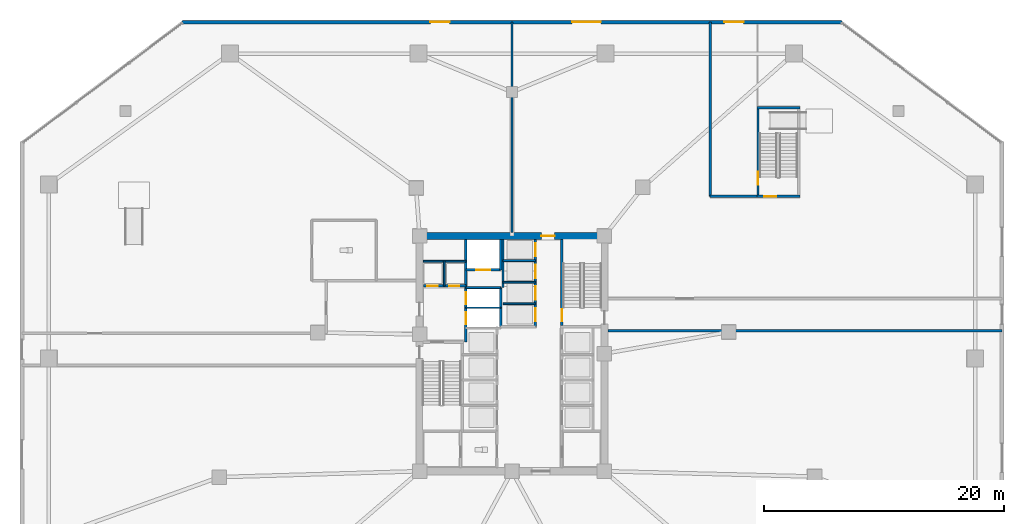
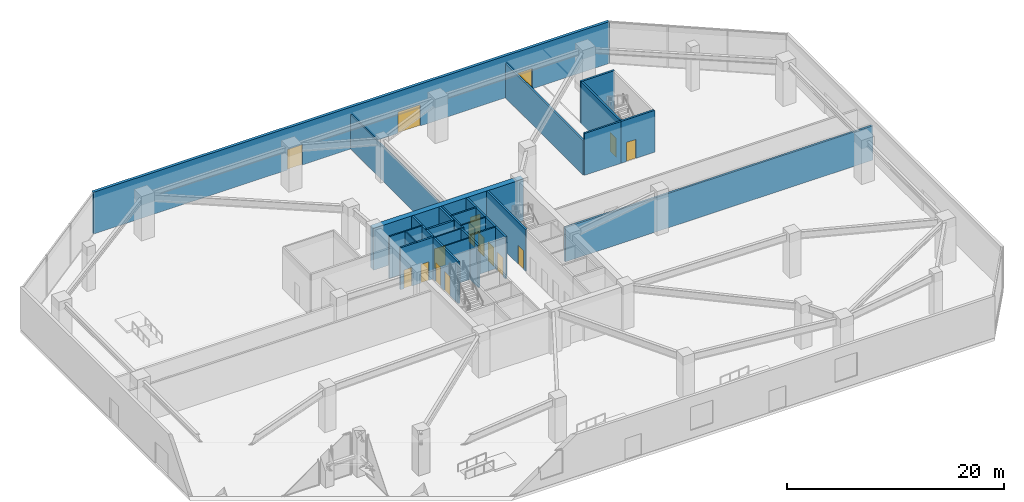
# One storey, part 11 of 22: 24 walls, 16 doors, 16 openings.
"""IFC4 building model written with IfcOpenShell, lengths in metres."""

import ifcopenshell
import ifcopenshell.guid

model = None  # the IFC model being written
_history = None  # IfcOwnerHistory: only IFC2X3 demands one
_inside = {}  # id of a spatial element -> (the spatial element, [elements in it])
_under = {}  # id of a project, library or spatial element -> (it, [spatial elements below it])
_declared = {}  # id of a project -> (the project, [libraries it declares])
_typed = {}  # id of a type object -> (the type object, [elements of that type])
_made_of = {}  # id of a material, layer set ... -> (it, [elements and type objects made of it])


def new_model(schema):
    """Start an empty IFC model of exactly this schema.

    Asked for "IFC4X3", IfcOpenShell would pick the latest addendum, in which some entities
    have other attributes; the version numbers below select the first issue.
    IFC2X3 requires an IfcOwnerHistory on every rooted entity: one is made here for all.
    """
    global model, _history
    if schema == "IFC4X3":
        model = ifcopenshell.file(schema_version=(4, 3, 0, 0))
    else:
        model = ifcopenshell.file(schema=schema)
    _inside.clear()
    _under.clear()
    _declared.clear()
    _typed.clear()
    _made_of.clear()
    _history = None
    if model.schema == "IFC2X3":
        org = make("IfcOrganization", Name="unknown")
        user = make(
            "IfcPersonAndOrganization",
            ThePerson=make("IfcPerson", FamilyName="unknown"),
            TheOrganization=org,
        )
        app = make(
            "IfcApplication",
            ApplicationDeveloper=org,
            Version="unknown",
            ApplicationFullName="unknown",
            ApplicationIdentifier="unknown",
        )
        _history = make(
            "IfcOwnerHistory",
            OwningUser=user,
            OwningApplication=app,
            ChangeAction="ADDED",
            CreationDate=0,
        )
    return model


def make(cls, **values):
    """One entity of the class cls with the attributes given. An attribute that is None is left unset."""
    return model.create_entity(
        cls, **{name: value for name, value in values.items() if value is not None}
    )


def rooted(cls, **values):
    """An entity with a GlobalId (a new one), such as an element, a storey or a relation."""
    return make(cls, GlobalId=ifcopenshell.guid.new(), OwnerHistory=_history, **values)


def si_unit(unit_type, name, prefix=None):
    """IfcSIUnit, for example si_unit("LENGTHUNIT", "METRE", prefix="MILLI")."""
    return make("IfcSIUnit", UnitType=unit_type, Prefix=prefix, Name=name)


def assignment(units):
    """IfcUnitAssignment: the units of a project."""
    return None if units is None else make("IfcUnitAssignment", Units=units)


def point(xyz):
    """IfcCartesianPoint."""
    return None if xyz is None else make("IfcCartesianPoint", Coordinates=xyz)


def direction(xyz):
    """IfcDirection."""
    return None if xyz is None else make("IfcDirection", DirectionRatios=xyz)


def frame(location, z_axis=None, x_axis=None):
    """IfcAxis2Placement3D, a coordinate frame: its origin and axes. An axis left out is left unset."""
    return make(
        "IfcAxis2Placement3D",
        Location=point(location),
        Axis=direction(z_axis),
        RefDirection=direction(x_axis),
    )


def frame_2d(location, x_axis=None):
    """IfcAxis2Placement2D, a coordinate frame in the plane: its origin and x axis."""
    return make(
        "IfcAxis2Placement2D", Location=point(location), RefDirection=direction(x_axis)
    )


def origin():
    """The frame at (0, 0, 0) with its axes left unset."""
    return frame((0.0, 0.0, 0.0))


def place(relative_to, where):
    """IfcLocalPlacement: puts the frame where relative to a parent placement (None: the world)."""
    return make(
        "IfcLocalPlacement", PlacementRelTo=relative_to, RelativePlacement=where
    )


def context(
    kind, dimensions, precision=None, world=None, true_north=None, identifier=None
):
    """IfcGeometricRepresentationContext, for example the 3D "Model" context."""
    return make(
        "IfcGeometricRepresentationContext",
        ContextIdentifier=identifier,
        ContextType=kind,
        CoordinateSpaceDimension=dimensions,
        Precision=precision,
        WorldCoordinateSystem=world,
        TrueNorth=true_north,
    )


def subcontext(parent, identifier, kind, view, scale=None):
    """IfcGeometricRepresentationSubContext, for example "Body" below "Model"."""
    return make(
        "IfcGeometricRepresentationSubContext",
        ContextIdentifier=identifier,
        ContextType=kind,
        ParentContext=parent,
        TargetScale=scale,
        TargetView=view,
    )


def project(units=None, contexts=None):
    """IfcProject with its units and contexts."""
    return rooted(
        "IfcProject",
        Name="project",
        RepresentationContexts=contexts,
        UnitsInContext=assignment(units),
    )


def spatial(cls, under=None, at=None, **own):
    """A site, building, storey or space (cls), placed at a placement, below another one or the project."""
    s = rooted(cls, ObjectPlacement=at, **own)
    if under is not None:
        _under.setdefault(under.id(), (under, []))[1].append(s)
    return s


def profile(cls, at=None, kind="AREA", **sizes):
    """A parametric profile (cls). Its sizes go by their IFC names, for example OverallWidth=200.0."""
    return make(cls, ProfileType=kind, Position=at, **sizes)


def rectangle(**sizes):
    """IfcRectangleProfileDef."""
    return profile("IfcRectangleProfileDef", **sizes)


def extrude(swept, where, along, depth):
    """IfcExtrudedAreaSolid: the profile swept, set in the frame where, extruded along a direction by depth."""
    return make(
        "IfcExtrudedAreaSolid",
        SweptArea=swept,
        Position=where,
        ExtrudedDirection=direction(along),
        Depth=depth,
    )


def shape(context_of_items, identifier, shape_type, items):
    """IfcShapeRepresentation: the items that make up one representation, for example the "Body"."""
    return make(
        "IfcShapeRepresentation",
        ContextOfItems=context_of_items,
        RepresentationIdentifier=identifier,
        RepresentationType=shape_type,
        Items=items,
    )


def material(Name=None, Category=None):
    """IfcMaterial."""
    return make("IfcMaterial", Name=Name, Category=Category)


def layer(
    of_material, thickness, ventilated=None, Name=None, Category=None, Priority=None
):
    """IfcMaterialLayer: one layer of a wall or slab, of a material (None: an air gap)."""
    return make(
        "IfcMaterialLayer",
        Material=of_material,
        LayerThickness=thickness,
        IsVentilated=ventilated,
        Name=Name,
        Category=Category,
        Priority=Priority,
    )


def layer_set(layers, Name=None):
    """IfcMaterialLayerSet."""
    return make("IfcMaterialLayerSet", MaterialLayers=layers, LayerSetName=Name)


def made_of(thing, what):
    """Note that an element or type object is made of a material, layer set ...; save() writes the relation."""
    if what is not None:
        _made_of.setdefault(what.id(), (what, []))[1].append(thing)
    return thing


def type_object(cls, material=None, **own):
    """A type object (cls), such as IfcWallType, which elements share."""
    return made_of(rooted(cls, **own), material)


def element(
    cls,
    number,
    at=None,
    inside=None,
    cuts=None,
    type_object=None,
    material=None,
    context=None,
    identifier="Body",
    shape_type=None,
    held_by="IfcProductDefinitionShape",
    body=None,
    shapes=None,
    **own,
):
    """One element of the class cls, such as IfcWall. Its Tag is "e" and its number.

    at: its placement. inside: the storey or other place that contains it. cuts: it is an
    opening in that element (IfcRelVoidsElement). A single representation is given by context,
    identifier, shape_type and body (its items); several are given by shapes. held_by: the class
    of the entity that holds the representations. save() writes the other relations.
    """
    e = rooted(cls, Tag="e%d" % number, ObjectPlacement=at, **own)
    if body is not None:
        shapes = [shape(context, identifier, shape_type, body)]
    if shapes is not None:
        e.Representation = make(held_by, Representations=shapes)
    if inside is not None:
        _inside.setdefault(inside.id(), (inside, []))[1].append(e)
    if cuts is not None:
        rooted(
            "IfcRelVoidsElement", RelatingBuildingElement=cuts, RelatedOpeningElement=e
        )
    if type_object is not None:
        _typed.setdefault(type_object.id(), (type_object, []))[1].append(e)
    return made_of(e, material)


def fill(opening, filler):
    """IfcRelFillsElement: the door or window that sits in an opening."""
    return rooted(
        "IfcRelFillsElement",
        RelatingOpeningElement=opening,
        RelatedBuildingElement=filler,
    )


def aggregate(whole, parts):
    """IfcRelAggregates: a whole, such as a stair, and the parts it consists of."""
    return rooted("IfcRelAggregates", RelatingObject=whole, RelatedObjects=parts)


def save(model, path):
    """Write the relations noted so far, then the file.

    IfcRelAggregates (storeys below a building ...), IfcRelContainedInSpatialStructure (elements
    in a storey), IfcRelDefinesByType, IfcRelAssociatesMaterial and IfcRelDeclares: one each for
    every whole, place, type object, material and project.
    """
    for whole, parts in _under.values():
        aggregate(whole, parts)
    for where, things in _inside.values():
        rooted(
            "IfcRelContainedInSpatialStructure",
            RelatedElements=things,
            RelatingStructure=where,
        )
    for kind, things in _typed.values():
        rooted("IfcRelDefinesByType", RelatedObjects=things, RelatingType=kind)
    for what, things in _made_of.values():
        rooted("IfcRelAssociatesMaterial", RelatedObjects=things, RelatingMaterial=what)
    for by, libraries in _declared.values():
        rooted("IfcRelDeclares", RelatingContext=by, RelatedDefinitions=libraries)
    model.write(path)


model = new_model("IFC4")

# Units and contexts
model_context = context("Model", 3, precision=1e-05, world=origin(), true_north=direction((0.0, 1.0)))
body_context = subcontext(model_context, "Body", "Model", "MODEL_VIEW")
ifc_project = project(units=[si_unit("LENGTHUNIT", "METRE"), si_unit("AREAUNIT", "SQUARE_METRE"), si_unit("VOLUMEUNIT", "CUBIC_METRE"), si_unit("PLANEANGLEUNIT", "RADIAN"), si_unit("MASSUNIT", "GRAM", prefix="KILO")], contexts=[model_context])

# Site, building, storey
site_placement = place(None, origin())
site = spatial("IfcSite", under=ifc_project, at=site_placement, CompositionType="ELEMENT")
building_placement = place(site_placement, origin())
building = spatial("IfcBuilding", under=site, at=building_placement, Name="Savorim Split Tower", CompositionType="ELEMENT")
storey_placement = place(building_placement, origin())
storey = spatial("IfcBuildingStorey", under=building, at=storey_placement, Name="L00", CompositionType="ELEMENT", Elevation=0.0)

# Wall, opening, door
ifc_material_1 = material(Name="Concrete C60/75", Category="concrete")
ifc_layer_1 = layer(ifc_material_1, 0.60009765625)
ifc_layer_set_1 = layer_set([ifc_layer_1], Name="WAL-COR-SH600")
wall_type_1 = type_object("IfcWallType", Name="WAL-COR-SH600", PredefinedType="SHEAR", material=ifc_layer_set_1)
wall_1_placement = place(storey_placement, frame((8.0, 10.199951171875, 0.0), z_axis=(0.0, 0.0, 1.0), x_axis=(-1.0, 0.0, 0.0)))
wall_1 = element("IfcWall", 1, at=wall_1_placement, inside=storey, type_object=wall_type_1, Name="L00 Offset Core North Shear Wall", PredefinedType="SHEAR", context=body_context, shape_type="SweptSolid", body=[
    extrude(rectangle(XDim=16.0, YDim=0.60009765625, at=frame_2d((8.0, 0.0))), origin(), (0.0, 0.0, 1.0), 4.719970703125),
])
opening_1_placement = place(wall_1_placement, frame((4.449951171875, 0.0, 0.0)))
opening_1 = element("IfcOpeningElement", 2, at=opening_1_placement, cuts=wall_1, Name="Opening DI-03", PredefinedType="OPENING", context=body_context, shape_type="SweptSolid", body=[
    extrude(rectangle(XDim=1.10009765625, YDim=2.14990234375, at=frame_2d((0.550048828125, 1.074951171875))), frame((0.0, 0.31005859375, 0.0), z_axis=(0.0, -1.0, 0.0), x_axis=(1.0, 0.0, 0.0)), (0.0, 0.0, 1.0), 0.6201171875),
])
ifc_material_2 = material(Name="Timber Fire Door Leaf", Category="wood")
door_type_1 = type_object("IfcDoorType", Name="DOR-FIR-1100", OperationType="NOTDEFINED", PredefinedType="DOOR", material=ifc_material_2)
door_1_placement = place(opening_1_placement, origin())
door_1 = element("IfcDoor", 3, at=door_1_placement, inside=storey, type_object=door_type_1, Name="DOR-L00-COR-NLOB - L00 North Corridor Lobby Fire Door", OperationType="SINGLE_SWING_LEFT", OverallHeight=2.14990234375, OverallWidth=1.10009765625, PredefinedType="DOOR", context=body_context, shape_type="SweptSolid", body=[
    extrude(rectangle(XDim=1.10009765625, YDim=2.14990234375, at=frame_2d((0.550048828125, 1.074951171875))), frame((0.0, 0.02490234375, 0.0), z_axis=(0.0, -1.0, 0.0), x_axis=(1.0, 0.0, 0.0)), (0.0, 0.0, 1.0), 0.050048828125),
])
fill(opening_1, door_1)

# Wall, openings, doors
ifc_material_3 = material(Name="Concrete C50/60", Category="concrete")
ifc_layer_2 = layer(ifc_material_3, 0.300048828125)
ifc_layer_set_2 = layer_set([ifc_layer_2], Name="WAL-EXT-POD300")
wall_type_2 = type_object("IfcWallType", Name="WAL-EXT-POD300", PredefinedType="SOLIDWALL", material=ifc_layer_set_2)
wall_2_placement = place(storey_placement, frame((-27.5, 28.02001953125, 0.0), z_axis=(0.0, 0.0, 1.0), x_axis=(1.0, 0.0, 0.0)))
wall_2 = element("IfcWall", 4, at=wall_2_placement, inside=storey, type_object=wall_type_2, Name="L00 Exterior Podium Wall N", PredefinedType="SOLIDWALL", context=body_context, shape_type="SweptSolid", body=[
    extrude(rectangle(XDim=55.0, YDim=0.300048828125, at=frame_2d((27.5, 0.0))), origin(), (0.0, 0.0, 1.0), 4.719970703125),
])
opening_2_placement = place(wall_2_placement, frame((45.199951171875, 0.0, 0.0)))
opening_2 = element("IfcOpeningElement", 5, at=opening_2_placement, cuts=wall_2, Name="Opening DE-02", PredefinedType="OPENING", context=body_context, shape_type="SweptSolid", body=[
    extrude(rectangle(XDim=1.60009765625, YDim=2.300048828125, at=frame_2d((0.800048828125, 1.14990234375))), frame((0.0, 0.159912109375, 0.0), z_axis=(0.0, -1.0, 0.0), x_axis=(1.0, 0.0, 0.0)), (0.0, 0.0, 1.0), 0.320068359375),
])
opening_3_placement = place(wall_2_placement, frame((32.5, 0.0, 0.0)))
opening_3 = element("IfcOpeningElement", 6, at=opening_3_placement, cuts=wall_2, Name="Opening GT-01", PredefinedType="OPENING", context=body_context, shape_type="SweptSolid", body=[
    extrude(rectangle(XDim=2.39990234375, YDim=2.39990234375, at=frame_2d((1.199951171875, 1.199951171875))), frame((0.0, 0.159912109375, 0.0), z_axis=(0.0, -1.0, 0.0), x_axis=(1.0, 0.0, 0.0)), (0.0, 0.0, 1.0), 0.320068359375),
])
opening_4_placement = place(wall_2_placement, frame((20.699951171875, 0.0, 0.0)))
opening_4 = element("IfcOpeningElement", 7, at=opening_4_placement, cuts=wall_2, Name="Opening DE-02", PredefinedType="OPENING", context=body_context, shape_type="SweptSolid", body=[
    extrude(rectangle(XDim=1.60009765625, YDim=2.300048828125, at=frame_2d((0.800048828125, 1.14990234375))), frame((0.0, 0.159912109375, 0.0), z_axis=(0.0, -1.0, 0.0), x_axis=(1.0, 0.0, 0.0)), (0.0, 0.0, 1.0), 0.320068359375),
])
ifc_material_4 = material(Name="Charcoal Anodised Aluminium", Category="aluminium")
door_type_2 = type_object("IfcDoorType", Name="DOR-EXT-1600", OperationType="NOTDEFINED", PredefinedType="DOOR", material=ifc_material_4)
door_2_placement = place(opening_2_placement, origin())
door_2 = element("IfcDoor", 8, at=door_2_placement, inside=storey, type_object=door_type_2, Name="DOR-L00-ST3EX - L00 Exit Passage North-East Final Exit Door", OperationType="SINGLE_SWING_LEFT", OverallHeight=2.300048828125, OverallWidth=1.60009765625, PredefinedType="DOOR", context=body_context, shape_type="SweptSolid", body=[
    extrude(rectangle(XDim=1.60009765625, YDim=2.300048828125, at=frame_2d((0.800048828125, 1.14990234375))), frame((0.0, 0.02490234375, 0.0), z_axis=(0.0, -1.0, 0.0), x_axis=(1.0, 0.0, 0.0)), (0.0, 0.0, 1.0), 0.050048828125),
])
fill(opening_2, door_2)
door_3_placement = place(opening_4_placement, origin())
door_3 = element("IfcDoor", 9, at=door_3_placement, inside=storey, type_object=door_type_2, Name="DOR-L00-ST2EX1 - L00 North Reception Exit Door", OperationType="SINGLE_SWING_RIGHT", OverallHeight=2.300048828125, OverallWidth=1.60009765625, PredefinedType="DOOR", context=body_context, shape_type="SweptSolid", body=[
    extrude(rectangle(XDim=1.60009765625, YDim=2.300048828125, at=frame_2d((0.800048828125, 1.14990234375))), frame((0.0, 0.02490234375, 0.0), z_axis=(0.0, -1.0, 0.0), x_axis=(1.0, 0.0, 0.0)), (0.0, 0.0, 1.0), 0.050048828125),
])
fill(opening_4, door_3)
door_type_3 = type_object("IfcDoorType", Name="DOR-GAT-2400", OperationType="NOTDEFINED", PredefinedType="GATE", material=ifc_material_4)
door_4_placement = place(opening_3_placement, origin())
door_4 = element("IfcDoor", 10, at=door_4_placement, inside=storey, type_object=door_type_3, Name="DOR-L00-BGAT2 - L00 North Service Bay Gate 2", OperationType="DOUBLE_DOOR_SINGLE_SWING", OverallHeight=2.39990234375, OverallWidth=2.39990234375, PredefinedType="GATE", context=body_context, shape_type="SweptSolid", body=[
    extrude(rectangle(XDim=2.39990234375, YDim=2.39990234375, at=frame_2d((1.199951171875, 1.199951171875))), frame((0.0, 0.02490234375, 0.0), z_axis=(0.0, -1.0, 0.0), x_axis=(1.0, 0.0, 0.0)), (0.0, 0.0, 1.0), 0.050048828125),
])
fill(opening_3, door_4)

ifc_layer_3 = layer(ifc_material_3, 0.199951171875)
ifc_layer_set_3 = layer_set([ifc_layer_3], Name="WAL-INT-RC200")
wall_type_3 = type_object("IfcWallType", Name="WAL-INT-RC200", PredefinedType="SOLIDWALL", material=ifc_layer_set_3)
wall_3_placement = place(storey_placement, frame((-3.85009765625, 1.35009765625, 0.0), z_axis=(0.0, 0.0, 1.0), x_axis=(0.0, 1.0, 0.0)))
wall_3 = element("IfcWall", 11, at=wall_3_placement, inside=storey, type_object=wall_type_3, Name="L00 Partition W-L00-CR03", PredefinedType="SOLIDWALL", context=body_context, shape_type="SweptSolid", body=[
    extrude(rectangle(XDim=8.544921875, YDim=0.199951171875, at=frame_2d((4.2724609375, 0.0))), origin(), (0.0, 0.0, 1.0), 4.719970703125),
])
opening_5_placement = place(wall_3_placement, frame((1.5, 0.0, 0.0)))
opening_5 = element("IfcOpeningElement", 12, at=opening_5_placement, cuts=wall_3, Name="Opening LD-FFL", PredefinedType="OPENING", context=body_context, shape_type="SweptSolid", body=[
    extrude(rectangle(XDim=1.0, YDim=2.14990234375, at=frame_2d((0.5, 1.074951171875))), frame((0.0, 0.10986328125, 0.0), z_axis=(0.0, -1.0, 0.0), x_axis=(1.0, 0.0, 0.0)), (0.0, 0.0, 1.0), 0.219970703125),
])
opening_6_placement = place(wall_3_placement, frame((3.179931640625, 0.0, 0.0)))
opening_6 = element("IfcOpeningElement", 13, at=opening_6_placement, cuts=wall_3, Name="Opening LD-FFL", PredefinedType="OPENING", context=body_context, shape_type="SweptSolid", body=[
    extrude(rectangle(XDim=1.0, YDim=2.14990234375, at=frame_2d((0.5, 1.074951171875))), frame((0.0, 0.10986328125, 0.0), z_axis=(0.0, -1.0, 0.0), x_axis=(1.0, 0.0, 0.0)), (0.0, 0.0, 1.0), 0.219970703125),
])
door_type_4 = type_object("IfcDoorType", Name="DOR-SLD-LD1000", OperationType="NOTDEFINED", PredefinedType="DOOR", material=ifc_material_4)
door_5_placement = place(opening_5_placement, origin())
door_5 = element("IfcDoor", 14, at=door_5_placement, inside=storey, type_object=door_type_4, Name="DR-L00-LD-FFL1 - L00 Firefighting Lift FFL-1 Sliding Landing Door", OperationType="DOUBLE_DOOR_SLIDING", OverallHeight=2.14990234375, OverallWidth=1.0, PredefinedType="DOOR", context=body_context, shape_type="SweptSolid", body=[
    extrude(rectangle(XDim=1.0, YDim=2.14990234375, at=frame_2d((0.5, 1.074951171875))), frame((0.0, 0.02490234375, 0.0), z_axis=(0.0, -1.0, 0.0), x_axis=(1.0, 0.0, 0.0)), (0.0, 0.0, 1.0), 0.050048828125),
])
fill(opening_5, door_5)
door_6_placement = place(opening_6_placement, origin())
door_6 = element("IfcDoor", 15, at=door_6_placement, inside=storey, type_object=door_type_4, Name="DR-L00-LD-FFL2 - L00 Firefighting Lift FFL-2 Sliding Landing Door", OperationType="DOUBLE_DOOR_SLIDING", OverallHeight=2.14990234375, OverallWidth=1.0, PredefinedType="DOOR", context=body_context, shape_type="SweptSolid", body=[
    extrude(rectangle(XDim=1.0, YDim=2.14990234375, at=frame_2d((0.5, 1.074951171875))), frame((0.0, 0.02490234375, 0.0), z_axis=(0.0, -1.0, 0.0), x_axis=(1.0, 0.0, 0.0)), (0.0, 0.0, 1.0), 0.050048828125),
])
fill(opening_6, door_6)

wall_4_placement = place(storey_placement, frame((-7.39501953125, 6.050048828125, 0.0), z_axis=(0.0, 0.0, 1.0), x_axis=(1.0, 0.0, 0.0)))
wall_4 = element("IfcWall", 16, at=wall_4_placement, inside=storey, type_object=wall_type_3, Name="L00 Partition W-L00-CR04", PredefinedType="SOLIDWALL", context=body_context, shape_type="SweptSolid", body=[
    extrude(rectangle(XDim=3.544921875, YDim=0.199951171875, at=frame_2d((1.7724609375, 0.0))), origin(), (0.0, 0.0, 1.0), 4.719970703125),
])
opening_7_placement = place(wall_4_placement, frame((0.344970703125, 0.0, 0.0)))
opening_7 = element("IfcOpeningElement", 17, at=opening_7_placement, cuts=wall_4, Name="Opening DI-12", PredefinedType="OPENING", context=body_context, shape_type="SweptSolid", body=[
    extrude(rectangle(XDim=0.85009765625, YDim=2.10009765625, at=frame_2d((0.425048828125, 1.050048828125))), frame((0.0, 0.10986328125, 0.0), z_axis=(0.0, -1.0, 0.0), x_axis=(1.0, 0.0, 0.0)), (0.0, 0.0, 1.0), 0.219970703125),
])
opening_8_placement = place(wall_4_placement, frame((2.14501953125, 0.0, 0.0)))
opening_8 = element("IfcOpeningElement", 18, at=opening_8_placement, cuts=wall_4, Name="Opening DI-12", PredefinedType="OPENING", context=body_context, shape_type="SweptSolid", body=[
    extrude(rectangle(XDim=0.85009765625, YDim=2.10009765625, at=frame_2d((0.425048828125, 1.050048828125))), frame((0.0, 0.10986328125, 0.0), z_axis=(0.0, -1.0, 0.0), x_axis=(1.0, 0.0, 0.0)), (0.0, 0.0, 1.0), 0.219970703125),
])
ifc_material_5 = material(Name="Galvanised Painted Steel Balustrade", Category="steel")
door_type_5 = type_object("IfcDoorType", Name="DOR-RIS-850", OperationType="NOTDEFINED", PredefinedType="DOOR", material=ifc_material_5)
door_7_placement = place(opening_7_placement, origin())
door_7 = element("IfcDoor", 19, at=door_7_placement, inside=storey, type_object=door_type_5, Name="DR-L00-ELR - L00 Electrical Riser Access Door", OperationType="SINGLE_SWING_RIGHT", OverallHeight=2.10009765625, OverallWidth=0.85009765625, PredefinedType="DOOR", context=body_context, shape_type="SweptSolid", body=[
    extrude(rectangle(XDim=0.85009765625, YDim=2.10009765625, at=frame_2d((0.425048828125, 1.050048828125))), frame((0.0, 0.02490234375, 0.0), z_axis=(0.0, -1.0, 0.0), x_axis=(1.0, 0.0, 0.0)), (0.0, 0.0, 1.0), 0.050048828125),
])
fill(opening_7, door_7)
door_8_placement = place(opening_8_placement, origin())
door_8 = element("IfcDoor", 20, at=door_8_placement, inside=storey, type_object=door_type_5, Name="DR-L00-TLR - L00 Telecom Riser Access Door", OperationType="SINGLE_SWING_LEFT", OverallHeight=2.10009765625, OverallWidth=0.85009765625, PredefinedType="DOOR", context=body_context, shape_type="SweptSolid", body=[
    extrude(rectangle(XDim=0.85009765625, YDim=2.10009765625, at=frame_2d((0.425048828125, 1.050048828125))), frame((0.0, 0.02490234375, 0.0), z_axis=(0.0, -1.0, 0.0), x_axis=(1.0, 0.0, 0.0)), (0.0, 0.0, 1.0), 0.050048828125),
])
fill(opening_8, door_8)

# Wall, opening, door
wall_5_placement = place(storey_placement, frame((4.14990234375, 2.75, 0.0), z_axis=(0.0, 0.0, 1.0), x_axis=(0.0, 1.0, 0.0)))
wall_5 = element("IfcWall", 21, at=wall_5_placement, inside=storey, type_object=wall_type_3, Name="L00 Structural Shaft Wall W-L00-CR07", PredefinedType="SOLIDWALL", context=body_context, shape_type="SweptSolid", body=[
    extrude(rectangle(XDim=7.14990234375, YDim=0.199951171875, at=frame_2d((3.574951171875, 0.0))), origin(), (0.0, 0.0, 1.0), 4.719970703125),
])
opening_9_placement = place(wall_5_placement, frame((0.35009765625, 0.0, 0.0)))
opening_9 = element("IfcOpeningElement", 22, at=opening_9_placement, cuts=wall_5, Name="Opening DI-04", PredefinedType="OPENING", context=body_context, shape_type="SweptSolid", body=[
    extrude(rectangle(XDim=1.0, YDim=2.14990234375, at=frame_2d((0.5, 1.074951171875))), frame((0.0, 0.10986328125, 0.0), z_axis=(0.0, -1.0, 0.0), x_axis=(1.0, 0.0, 0.0)), (0.0, 0.0, 1.0), 0.219970703125),
])
door_type_6 = type_object("IfcDoorType", Name="DOR-FIR-1000", OperationType="NOTDEFINED", PredefinedType="DOOR", material=ifc_material_2)
door_9_placement = place(opening_9_placement, origin())
door_9 = element("IfcDoor", 23, at=door_9_placement, inside=storey, type_object=door_type_6, Name="DR-L00-ST2 - L00 Stair ST-2 Enclosure Door", OperationType="SINGLE_SWING_RIGHT", OverallHeight=2.14990234375, OverallWidth=1.0, PredefinedType="DOOR", context=body_context, shape_type="SweptSolid", body=[
    extrude(rectangle(XDim=1.0, YDim=2.14990234375, at=frame_2d((0.5, 1.074951171875))), frame((0.0, 0.02490234375, 0.0), z_axis=(0.0, -1.0, 0.0), x_axis=(1.0, 0.0, 0.0)), (0.0, 0.0, 1.0), 0.050048828125),
])
fill(opening_9, door_9)

# Wall
wall_6_placement = place(storey_placement, frame((-0.949951171875, 2.64990234375, 0.0), z_axis=(0.0, 0.0, 1.0), x_axis=(0.0, 1.0, 0.0)))
element("IfcWall", 24, at=wall_6_placement, inside=storey, type_object=wall_type_3, Name="L00 Partition W-L00-FFLW", PredefinedType="SOLIDWALL", context=body_context, shape_type="SweptSolid", body=[
    extrude(rectangle(XDim=3.27001953125, YDim=0.199951171875, at=frame_2d((1.635009765625, 0.0))), origin(), (0.0, 0.0, 1.0), 4.719970703125),
])

# Wall, opening, door
wall_7_placement = place(storey_placement, frame((-3.85009765625, 7.3798828125, 0.0), z_axis=(0.0, 0.0, 1.0), x_axis=(1.0, 0.0, 0.0)))
wall_7 = element("IfcWall", 25, at=wall_7_placement, inside=storey, type_object=wall_type_3, Name="L00 Partition W-L00-SVLS", PredefinedType="SOLIDWALL", context=body_context, shape_type="SweptSolid", body=[
    extrude(rectangle(XDim=2.900146484375, YDim=0.199951171875, at=frame_2d((1.4501953125, 0.0))), origin(), (0.0, 0.0, 1.0), 4.719970703125),
])
opening_10_placement = place(wall_7_placement, frame((0.85009765625, 0.0, 0.0)))
opening_10 = element("IfcOpeningElement", 26, at=opening_10_placement, cuts=wall_7, Name="Opening LD-SV", PredefinedType="OPENING", context=body_context, shape_type="SweptSolid", body=[
    extrude(rectangle(XDim=1.199951171875, YDim=2.199951171875, at=frame_2d((0.60009765625, 1.10009765625))), frame((0.0, 0.10986328125, 0.0), z_axis=(0.0, -1.0, 0.0), x_axis=(1.0, 0.0, 0.0)), (0.0, 0.0, 1.0), 0.219970703125),
])
door_type_7 = type_object("IfcDoorType", Name="DOR-SLD-SV1200", OperationType="NOTDEFINED", PredefinedType="DOOR", material=ifc_material_4)
door_10_placement = place(opening_10_placement, origin())
door_10 = element("IfcDoor", 27, at=door_10_placement, inside=storey, type_object=door_type_7, Name="DR-L00-LD-SVL1 - L00 Service Lift SVL-1 Sliding Landing Door", OperationType="DOUBLE_DOOR_SLIDING", OverallHeight=2.199951171875, OverallWidth=1.199951171875, PredefinedType="DOOR", context=body_context, shape_type="SweptSolid", body=[
    extrude(rectangle(XDim=1.199951171875, YDim=2.199951171875, at=frame_2d((0.60009765625, 1.10009765625))), frame((0.0, 0.02490234375, 0.0), z_axis=(0.0, -1.0, 0.0), x_axis=(1.0, 0.0, 0.0)), (0.0, 0.0, 1.0), 0.050048828125),
])
fill(opening_10, door_10)

# Wall
wall_8_placement = place(storey_placement, frame((-0.949951171875, 7.3798828125, 0.0), z_axis=(0.0, 0.0, 1.0), x_axis=(0.0, 1.0, 0.0)))
element("IfcWall", 28, at=wall_8_placement, inside=storey, type_object=wall_type_3, Name="L00 Partition W-L00-SVLE", PredefinedType="SOLIDWALL", context=body_context, shape_type="SweptSolid", body=[
    extrude(rectangle(XDim=2.51513671875, YDim=0.199951171875, at=frame_2d((1.257568359375, 0.0))), origin(), (0.0, 0.0, 1.0), 4.719970703125),
])

# Wall, openings, doors
wall_9_placement = place(storey_placement, frame((1.949951171875, 2.64990234375, 0.0), z_axis=(0.0, 0.0, 1.0), x_axis=(0.0, 1.0, 0.0)))
wall_9 = element("IfcWall", 29, at=wall_9_placement, inside=storey, type_object=wall_type_3, Name="L00 Partition W-L00-B3FRONT", PredefinedType="SOLIDWALL", context=body_context, shape_type="SweptSolid", body=[
    extrude(rectangle(XDim=7.2451171875, YDim=0.199951171875, at=frame_2d((3.62255859375, 0.0))), origin(), (0.0, 0.0, 1.0), 4.719970703125),
])
opening_11_placement = place(wall_9_placement, frame((0.449951171875, 0.0, 0.0)))
opening_11 = element("IfcOpeningElement", 30, at=opening_11_placement, cuts=wall_9, Name="Opening LD-03", PredefinedType="OPENING", context=body_context, shape_type="SweptSolid", body=[
    extrude(rectangle(XDim=1.10009765625, YDim=2.14990234375, at=frame_2d((0.550048828125, 1.074951171875))), frame((0.0, 0.10986328125, 0.0), z_axis=(0.0, -1.0, 0.0), x_axis=(1.0, 0.0, 0.0)), (0.0, 0.0, 1.0), 0.219970703125),
])
opening_12_placement = place(wall_9_placement, frame((2.25, 0.0, 0.0)))
opening_12 = element("IfcOpeningElement", 31, at=opening_12_placement, cuts=wall_9, Name="Opening LD-03", PredefinedType="OPENING", context=body_context, shape_type="SweptSolid", body=[
    extrude(rectangle(XDim=1.10009765625, YDim=2.14990234375, at=frame_2d((0.550048828125, 1.074951171875))), frame((0.0, 0.10986328125, 0.0), z_axis=(0.0, -1.0, 0.0), x_axis=(1.0, 0.0, 0.0)), (0.0, 0.0, 1.0), 0.219970703125),
])
opening_13_placement = place(wall_9_placement, frame((4.050048828125, 0.0, 0.0)))
opening_13 = element("IfcOpeningElement", 32, at=opening_13_placement, cuts=wall_9, Name="Opening LD-03", PredefinedType="OPENING", context=body_context, shape_type="SweptSolid", body=[
    extrude(rectangle(XDim=1.10009765625, YDim=2.14990234375, at=frame_2d((0.550048828125, 1.074951171875))), frame((0.0, 0.10986328125, 0.0), z_axis=(0.0, -1.0, 0.0), x_axis=(1.0, 0.0, 0.0)), (0.0, 0.0, 1.0), 0.219970703125),
])
opening_14_placement = place(wall_9_placement, frame((5.85009765625, 0.0, 0.0)))
opening_14 = element("IfcOpeningElement", 33, at=opening_14_placement, cuts=wall_9, Name="Opening LD-03", PredefinedType="OPENING", context=body_context, shape_type="SweptSolid", body=[
    extrude(rectangle(XDim=1.10009765625, YDim=2.14990234375, at=frame_2d((0.550048828125, 1.074951171875))), frame((0.0, 0.10986328125, 0.0), z_axis=(0.0, -1.0, 0.0), x_axis=(1.0, 0.0, 0.0)), (0.0, 0.0, 1.0), 0.219970703125),
])
door_type_8 = type_object("IfcDoorType", Name="DOR-SLD-LDH1100", OperationType="NOTDEFINED", PredefinedType="DOOR", material=ifc_material_4)
door_11_placement = place(opening_11_placement, origin())
door_11 = element("IfcDoor", 34, at=door_11_placement, inside=storey, type_object=door_type_8, Name="DR-L00-LD-PLH1 - L00 Lift PL-H1 Sliding Landing Door", OperationType="DOUBLE_DOOR_SLIDING", OverallHeight=2.14990234375, OverallWidth=1.10009765625, PredefinedType="DOOR", context=body_context, shape_type="SweptSolid", body=[
    extrude(rectangle(XDim=1.10009765625, YDim=2.14990234375, at=frame_2d((0.550048828125, 1.074951171875))), frame((0.0, 0.02490234375, 0.0), z_axis=(0.0, -1.0, 0.0), x_axis=(1.0, 0.0, 0.0)), (0.0, 0.0, 1.0), 0.050048828125),
])
fill(opening_11, door_11)
door_12_placement = place(opening_12_placement, origin())
door_12 = element("IfcDoor", 35, at=door_12_placement, inside=storey, type_object=door_type_8, Name="DR-L00-LD-PLH2 - L00 Lift PL-H2 Sliding Landing Door", OperationType="DOUBLE_DOOR_SLIDING", OverallHeight=2.14990234375, OverallWidth=1.10009765625, PredefinedType="DOOR", context=body_context, shape_type="SweptSolid", body=[
    extrude(rectangle(XDim=1.10009765625, YDim=2.14990234375, at=frame_2d((0.550048828125, 1.074951171875))), frame((0.0, 0.02490234375, 0.0), z_axis=(0.0, -1.0, 0.0), x_axis=(1.0, 0.0, 0.0)), (0.0, 0.0, 1.0), 0.050048828125),
])
fill(opening_12, door_12)
door_13_placement = place(opening_13_placement, origin())
door_13 = element("IfcDoor", 36, at=door_13_placement, inside=storey, type_object=door_type_8, Name="DR-L00-LD-PLH3 - L00 Lift PL-H3 Sliding Landing Door", OperationType="DOUBLE_DOOR_SLIDING", OverallHeight=2.14990234375, OverallWidth=1.10009765625, PredefinedType="DOOR", context=body_context, shape_type="SweptSolid", body=[
    extrude(rectangle(XDim=1.10009765625, YDim=2.14990234375, at=frame_2d((0.550048828125, 1.074951171875))), frame((0.0, 0.02490234375, 0.0), z_axis=(0.0, -1.0, 0.0), x_axis=(1.0, 0.0, 0.0)), (0.0, 0.0, 1.0), 0.050048828125),
])
fill(opening_13, door_13)
door_14_placement = place(opening_14_placement, origin())
door_14 = element("IfcDoor", 37, at=door_14_placement, inside=storey, type_object=door_type_8, Name="DR-L00-LD-PLH4 - L00 Lift PL-H4 Sliding Landing Door", OperationType="DOUBLE_DOOR_SLIDING", OverallHeight=2.14990234375, OverallWidth=1.10009765625, PredefinedType="DOOR", context=body_context, shape_type="SweptSolid", body=[
    extrude(rectangle(XDim=1.10009765625, YDim=2.14990234375, at=frame_2d((0.550048828125, 1.074951171875))), frame((0.0, 0.02490234375, 0.0), z_axis=(0.0, -1.0, 0.0), x_axis=(1.0, 0.0, 0.0)), (0.0, 0.0, 1.0), 0.050048828125),
])
fill(opening_14, door_14)

# Wall, opening, door
wall_10_placement = place(storey_placement, frame((20.39990234375, 13.5, 0.0), z_axis=(0.0, 0.0, 1.0), x_axis=(1.0, 0.0, 0.0)))
wall_10 = element("IfcWall", 38, at=wall_10_placement, inside=storey, type_object=wall_type_3, Name="L00 Structural Shaft Wall W-L00-ST3S", PredefinedType="SOLIDWALL", context=body_context, shape_type="SweptSolid", body=[
    extrude(rectangle(XDim=3.60009765625, YDim=0.199951171875, at=frame_2d((1.800048828125, 0.0))), origin(), (0.0, 0.0, 1.0), 4.719970703125),
])
opening_15_placement = place(wall_10_placement, frame((0.60009765625, 0.0, 0.0)))
opening_15 = element("IfcOpeningElement", 39, at=opening_15_placement, cuts=wall_10, Name="Opening DI-04", PredefinedType="OPENING", context=body_context, shape_type="SweptSolid", body=[
    extrude(rectangle(XDim=1.0, YDim=2.14990234375, at=frame_2d((0.5, 1.074951171875))), frame((0.0, 0.10986328125, 0.0), z_axis=(0.0, -1.0, 0.0), x_axis=(1.0, 0.0, 0.0)), (0.0, 0.0, 1.0), 0.219970703125),
])
door_15_placement = place(opening_15_placement, origin())
door_15 = element("IfcDoor", 40, at=door_15_placement, inside=storey, type_object=door_type_6, Name="DR-L00-ST3 - L00 Stair ST-3 Enclosure Door", OperationType="SINGLE_SWING_RIGHT", OverallHeight=2.14990234375, OverallWidth=1.0, PredefinedType="DOOR", context=body_context, shape_type="SweptSolid", body=[
    extrude(rectangle(XDim=1.0, YDim=2.14990234375, at=frame_2d((0.5, 1.074951171875))), frame((0.0, 0.02490234375, 0.0), z_axis=(0.0, -1.0, 0.0), x_axis=(1.0, 0.0, 0.0)), (0.0, 0.0, 1.0), 0.050048828125),
])
fill(opening_15, door_15)

# Wall
wall_11_placement = place(storey_placement, frame((20.39990234375, 20.89990234375, 0.0), z_axis=(0.0, 0.0, 1.0), x_axis=(1.0, 0.0, 0.0)))
element("IfcWall", 41, at=wall_11_placement, inside=storey, type_object=wall_type_3, Name="L00 Structural Shaft Wall W-L00-ST3N", PredefinedType="SOLIDWALL", context=body_context, shape_type="SweptSolid", body=[
    extrude(rectangle(XDim=3.60009765625, YDim=0.199951171875, at=frame_2d((1.800048828125, 0.0))), origin(), (0.0, 0.0, 1.0), 4.719970703125),
])

# Wall, opening, door
wall_12_placement = place(storey_placement, frame((20.5, 13.60009765625, 0.0), z_axis=(0.0, 0.0, 1.0), x_axis=(0.0, 1.0, 0.0)))
wall_12 = element("IfcWall", 42, at=wall_12_placement, inside=storey, type_object=wall_type_3, Name="L00 Structural Shaft Wall W-L00-ST3W", PredefinedType="SOLIDWALL", context=body_context, shape_type="SweptSolid", body=[
    extrude(rectangle(XDim=7.199951171875, YDim=0.199951171875, at=frame_2d((3.60009765625, 0.0))), origin(), (0.0, 0.0, 1.0), 4.719970703125),
])
opening_16_placement = place(wall_12_placement, frame((0.85009765625, 0.0, 0.0)))
opening_16 = element("IfcOpeningElement", 43, at=opening_16_placement, cuts=wall_12, Name="Opening DI-03", PredefinedType="OPENING", context=body_context, shape_type="SweptSolid", body=[
    extrude(rectangle(XDim=1.10009765625, YDim=2.14990234375, at=frame_2d((0.550048828125, 1.074951171875))), frame((0.0, 0.10986328125, 0.0), z_axis=(0.0, -1.0, 0.0), x_axis=(1.0, 0.0, 0.0)), (0.0, 0.0, 1.0), 0.219970703125),
])
door_16_placement = place(opening_16_placement, origin())
door_16 = element("IfcDoor", 44, at=door_16_placement, inside=storey, type_object=door_type_1, Name="DR-L00-ST3-DISCH - L00 Stair ST-3 Exit Passage Discharge Door", OperationType="SINGLE_SWING_LEFT", OverallHeight=2.14990234375, OverallWidth=1.10009765625, PredefinedType="DOOR", context=body_context, shape_type="SweptSolid", body=[
    extrude(rectangle(XDim=1.10009765625, YDim=2.14990234375, at=frame_2d((0.550048828125, 1.074951171875))), frame((0.0, 0.02490234375, 0.0), z_axis=(0.0, -1.0, 0.0), x_axis=(1.0, 0.0, 0.0)), (0.0, 0.0, 1.0), 0.050048828125),
])
fill(opening_16, door_16)

# Walls
wall_13_placement = place(storey_placement, frame((8.0, 2.320068359375, 0.0), z_axis=(0.0, 0.0, 1.0), x_axis=(1.0, 0.0, 0.0)))
element("IfcWall", 45, at=wall_13_placement, inside=storey, type_object=wall_type_3, Name="L00 Partition W-L00-EPE1", PredefinedType="SOLIDWALL", context=body_context, shape_type="SweptSolid", body=[
    extrude(rectangle(XDim=32.820068359375, YDim=0.199951171875, at=frame_2d((16.41015625, 0.0))), origin(), (0.0, 0.0, 1.0), 3.881103515625),
])
wall_14_placement = place(storey_placement, frame((16.52001953125, 13.5, 0.0), z_axis=(0.0, 0.0, 1.0), x_axis=(0.0, 1.0, 0.0)))
element("IfcWall", 46, at=wall_14_placement, inside=storey, type_object=wall_type_3, Name="L00 Partition W-L00-EPNE1", PredefinedType="SOLIDWALL", context=body_context, shape_type="SweptSolid", body=[
    extrude(rectangle(XDim=14.52001953125, YDim=0.199951171875, at=frame_2d((7.260009765625, 0.0))), origin(), (0.0, 0.0, 1.0), 3.881103515625),
])
wall_15_placement = place(storey_placement, frame((16.52001953125, 13.5, 0.0), z_axis=(0.0, 0.0, 1.0), x_axis=(1.0, 0.0, 0.0)))
element("IfcWall", 47, at=wall_15_placement, inside=storey, type_object=wall_type_3, Name="L00 Partition W-L00-EPNE2", PredefinedType="SOLIDWALL", context=body_context, shape_type="SweptSolid", body=[
    extrude(rectangle(XDim=3.8798828125, YDim=0.199951171875, at=frame_2d((1.93994140625, 0.0))), origin(), (0.0, 0.0, 1.0), 4.719970703125),
])
ifc_material_6 = material(Name="Acoustic Gypsum Partition Board")
ifc_layer_4 = layer(ifc_material_6, 0.1201171875)
ifc_layer_set_4 = layer_set([ifc_layer_4], Name="WAL-PAR-120")
wall_type_4 = type_object("IfcWallType", Name="WAL-PAR-120", PredefinedType="PARTITIONING", material=ifc_layer_set_4)
wall_16_placement = place(storey_placement, frame((-3.85009765625, 4.219970703125, 0.0), z_axis=(0.0, 0.0, 1.0), x_axis=(1.0, 0.0, 0.0)))
element("IfcWall", 48, at=wall_16_placement, inside=storey, type_object=wall_type_4, Name="L00 Partition W-L00-FFLD1", PredefinedType="PARTITIONING", context=body_context, shape_type="SweptSolid", body=[
    extrude(rectangle(XDim=2.900146484375, YDim=0.1201171875, at=frame_2d((1.4501953125, 0.0))), origin(), (0.0, 0.0, 1.0), 4.719970703125),
])
ifc_layer_5 = layer(ifc_material_6, 0.14990234375)
ifc_layer_set_5 = layer_set([ifc_layer_5], Name="WAL-PAR-150")
wall_type_5 = type_object("IfcWallType", Name="WAL-PAR-150", PredefinedType="PARTITIONING", material=ifc_layer_set_5)
wall_17_placement = place(storey_placement, frame((-7.39501953125, 8.10009765625, 0.0), z_axis=(0.0, 0.0, 1.0), x_axis=(1.0, 0.0, 0.0)))
element("IfcWall", 49, at=wall_17_placement, inside=storey, type_object=wall_type_5, Name="L00 Partition W-L00-CR05", PredefinedType="PARTITIONING", context=body_context, shape_type="SweptSolid", body=[
    extrude(rectangle(XDim=3.544921875, YDim=0.14990234375, at=frame_2d((1.7724609375, 0.0))), origin(), (0.0, 0.0, 1.0), 4.719970703125),
])
wall_18_placement = place(storey_placement, frame((-5.64990234375, 6.050048828125, 0.0), z_axis=(0.0, 0.0, 1.0), x_axis=(0.0, 1.0, 0.0)))
element("IfcWall", 50, at=wall_18_placement, inside=storey, type_object=wall_type_5, Name="L00 Partition W-L00-CR06", PredefinedType="PARTITIONING", context=body_context, shape_type="SweptSolid", body=[
    extrude(rectangle(XDim=2.050048828125, YDim=0.14990234375, at=frame_2d((1.02490234375, 0.0))), origin(), (0.0, 0.0, 1.0), 4.719970703125),
])
wall_19_placement = place(storey_placement, frame((-3.85009765625, 5.89990234375, 0.0), z_axis=(0.0, 0.0, 1.0), x_axis=(1.0, 0.0, 0.0)))
element("IfcWall", 51, at=wall_19_placement, inside=storey, type_object=wall_type_5, Name="L00 Partition W-L00-FFLD2", PredefinedType="PARTITIONING", context=body_context, shape_type="SweptSolid", body=[
    extrude(rectangle(XDim=2.900146484375, YDim=0.14990234375, at=frame_2d((1.4501953125, 0.0))), origin(), (0.0, 0.0, 1.0), 4.719970703125),
])
wall_20_placement = place(storey_placement, frame((-0.75, 5.919921875, 0.0), z_axis=(0.0, 0.0, 1.0), x_axis=(0.0, 1.0, 0.0)))
element("IfcWall", 52, at=wall_20_placement, inside=storey, type_object=wall_type_5, Name="L00 Partition W-L00-B3WEST", PredefinedType="PARTITIONING", context=body_context, shape_type="SweptSolid", body=[
    extrude(rectangle(XDim=3.97509765625, YDim=0.14990234375, at=frame_2d((1.987548828125, 0.0))), origin(), (0.0, 0.0, 1.0), 4.719970703125),
])
for number, where, z_axis, x_axis, name in (
    (53, (-0.75, 4.550048828125, 0.0), (0.0, 0.0, 1.0), (1.0, 0.0, 0.0), "L00 Partition W-L00-B3DIV1"),
    (54, (-0.75, 6.35009765625, 0.0), (0.0, 0.0, 1.0), (1.0, 0.0, 0.0), "L00 Partition W-L00-B3DIV2"),
    (55, (-0.75, 8.14990234375, 0.0), (0.0, 0.0, 1.0), (1.0, 0.0, 0.0), "L00 Partition W-L00-B3DIV3"),
):
    element("IfcWall", number, at=place(storey_placement, frame(where, z_axis=z_axis, x_axis=x_axis)), inside=storey, type_object=wall_type_5, Name=name, PredefinedType="PARTITIONING", context=body_context, shape_type="SweptSolid", body=[
        extrude(rectangle(XDim=2.699951171875, YDim=0.14990234375, at=frame_2d((1.35009765625, 0.0))), origin(), (0.0, 0.0, 1.0), 4.719970703125),
    ])
wall_21_placement = place(storey_placement, frame((0.0, 10.5, 0.0), z_axis=(0.0, 0.0, 1.0), x_axis=(0.0, 1.0, 0.0)))
element("IfcWall", 56, at=wall_21_placement, inside=storey, type_object=wall_type_5, Name="L00 Partition W-L00-DIVN", PredefinedType="PARTITIONING", context=body_context, shape_type="SweptSolid", body=[
    extrude(rectangle(XDim=17.52001953125, YDim=0.14990234375, at=frame_2d((8.760009765625, 0.0))), origin(), (0.0, 0.0, 1.0), 3.881103515625),
])

save(model, "model.ifc")
